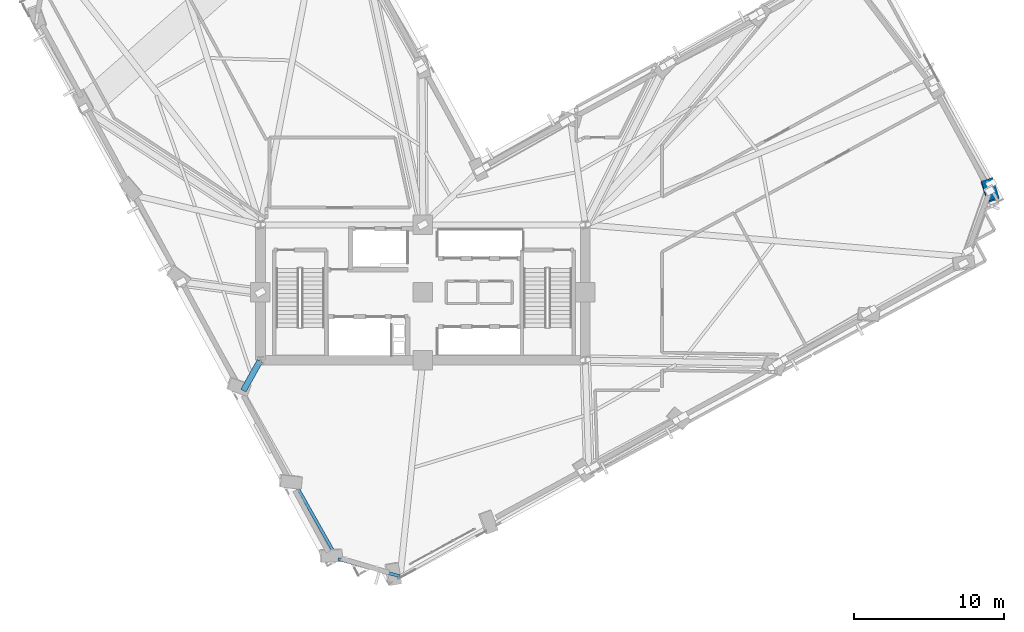
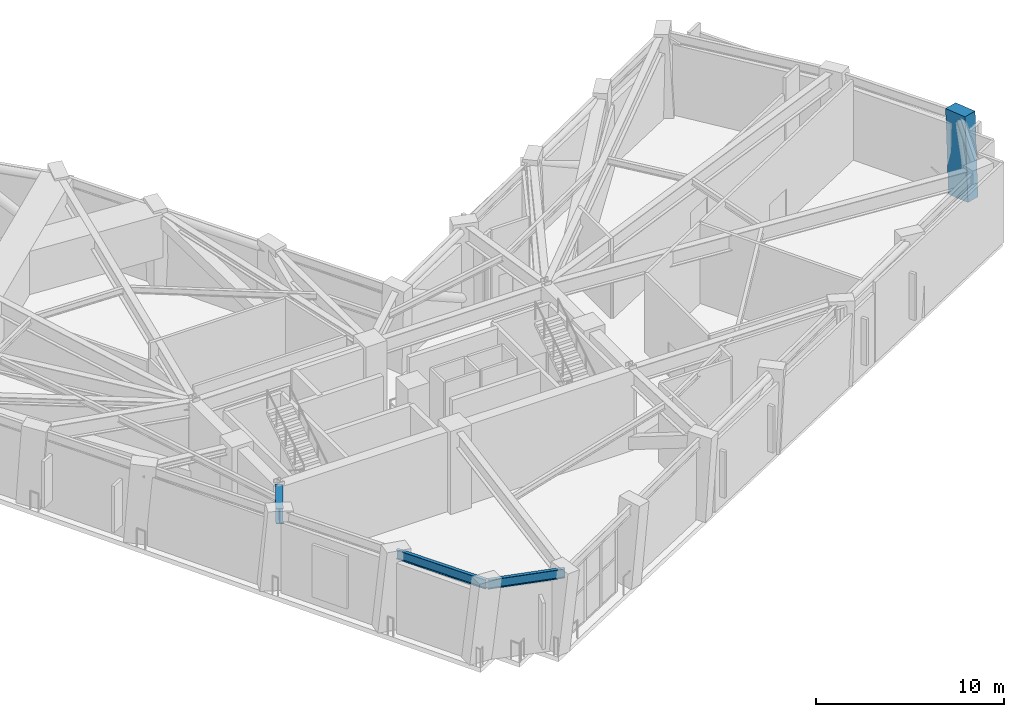
# One storey, part 2 of 15: 3 beams, 1 column.
"""IFC4 building model written with IfcOpenShell, lengths in metres."""

from ifc_helpers import new_model, si_unit, direction, frame, origin, origin_2d, place, context, subcontext, project, spatial, rectangle, i_section, extrude, material, material_profile, profile_set, type_object, element, save


model = new_model("IFC4")

# Units and contexts
model_context = context("Model", 3, precision=1e-05, world=origin(), true_north=direction((0.0, 1.0)))
body_context = subcontext(model_context, "Body", "Model", "MODEL_VIEW")
ifc_project = project(units=[si_unit("LENGTHUNIT", "METRE"), si_unit("AREAUNIT", "SQUARE_METRE"), si_unit("VOLUMEUNIT", "CUBIC_METRE"), si_unit("PLANEANGLEUNIT", "RADIAN"), si_unit("MASSUNIT", "GRAM", prefix="KILO")], contexts=[model_context])

# Site, building, storey
site_placement = place(None, origin())
site = spatial("IfcSite", under=ifc_project, at=site_placement, CompositionType="ELEMENT")
building_placement = place(site_placement, origin())
building = spatial("IfcBuilding", under=site, at=building_placement, Name="Gaonmaruhae Medical Tower", CompositionType="ELEMENT")
storey_placement = place(building_placement, frame((0.0, 0.0, 144.39990234375)))
storey = spatial("IfcBuildingStorey", under=building, at=storey_placement, Name="L34", CompositionType="ELEMENT", Elevation=144.39990234375)

# Column
ifc_material_1 = material(Name="Concrete C60/75", Category="concrete")
ifc_material_profile_1 = material_profile(ifc_material_1, rectangle(XDim=1.39990234375, YDim=0.800048828125, at=origin_2d()), Name="RC-1400x800")
ifc_profile_set_1 = profile_set([ifc_material_profile_1], Name="Concrete C60/75")
column_type = type_object("IfcColumnType", Name="TC-02 Mid Raking Tube Pier Column (RC-1400x800)", PredefinedType="COLUMN", material=ifc_profile_set_1)
column_placement = place(storey_placement, frame((62.5009765625, 19.048583984375, 0.0751953125), z_axis=(0.016859018422, 0.088509846714, 0.99593261847), x_axis=(0.304962959437, -0.949066770058, 0.079182443396)))
element("IfcColumn", 1, at=column_placement, inside=storey, type_object=column_type, Name="L34 Perimeter Tube Column E01", PredefinedType="COLUMN", context=body_context, shape_type="SweptSolid", body=[
    extrude(rectangle(XDim=1.39990234375, YDim=0.800048828125, at=origin_2d()), origin(), (0.0, 0.0, 1.0), 5.271240234375),
])

# Beams
ifc_material_2 = material(Name="Steel SM420", Category="steel")
ifc_material_profile_2 = material_profile(ifc_material_2, i_section(OverallWidth=0.39990234375, OverallDepth=1.0, WebThickness=0.02197265625, FlangeThickness=0.035888671875, at=origin_2d()), Name="BH-1000x400x22x36")
ifc_profile_set_2 = profile_set([ifc_material_profile_2], Name="Steel SM420")
beam_type_1 = type_object("IfcBeamType", Name="BG-02 Refuge Floor Primary Girder (BH-1000x400x22x36)", PredefinedType="BEAM", material=ifc_profile_set_2)
beam_1_placement = place(storey_placement, frame((13.9755859375, 7.75634765625, 4.68017578125), z_axis=(-0.487859917425, -0.872921932919, 0.0), x_axis=(0.872921932919, -0.487859917425, 0.0)))
element("IfcBeam", 2, at=beam_1_placement, inside=storey, type_object=beam_type_1, Name="L34 Radial Primary Girder W05", PredefinedType="BEAM", context=body_context, shape_type="SweptSolid", body=[
    extrude(i_section(OverallWidth=0.39990234375, OverallDepth=1.0, WebThickness=0.02197265625, FlangeThickness=0.035888671875, at=origin_2d()), origin(), (0.0, 0.0, 1.0), 2.2705078125),
])
ifc_material_3 = material(Name="Steel SM355", Category="steel")
ifc_material_profile_3 = material_profile(ifc_material_3, i_section(OverallWidth=0.199951171875, OverallDepth=0.60009765625, WebThickness=0.010986328125, FlangeThickness=0.01708984375, FilletRadius=0.012939453125, at=origin_2d()), Name="H-600x200x11x17")
ifc_profile_set_3 = profile_set([ifc_material_profile_3], Name="Steel SM355")
beam_type_2 = type_object("IfcBeamType", Name="SP-01 Lower Perimeter Spandrel Beam (H-600x200x11x17)", PredefinedType="SPANDREL", material=ifc_profile_set_3)
beam_2_placement = place(storey_placement, frame((16.4033203125, -0.57373046875, 4.880126953125), z_axis=(0.491654956618, -0.870790103086, 0.0), x_axis=(0.870790103086, 0.491654956618, 0.0)))
element("IfcBeam", 3, at=beam_2_placement, inside=storey, type_object=beam_type_2, Name="L34 Perimeter Spandrel Beam W06-W07", PredefinedType="SPANDREL", context=body_context, shape_type="SweptSolid", body=[
    extrude(i_section(OverallWidth=0.199951171875, OverallDepth=0.60009765625, WebThickness=0.010986328125, FlangeThickness=0.01708984375, FilletRadius=0.012939453125, at=origin_2d()), origin(), (0.0, 0.0, 1.0), 5.519775390625),
])
beam_3_placement = place(storey_placement, frame((19.175537109375, -5.426025390625, 4.880126953125), z_axis=(0.963402973599, -0.268057289511, 0.0), x_axis=(0.268057289511, 0.963402973599, 0.0)))
element("IfcBeam", 4, at=beam_3_placement, inside=storey, type_object=beam_type_2, Name="L34 Perimeter Spandrel Beam W07-S01", PredefinedType="SPANDREL", context=body_context, shape_type="SweptSolid", body=[
    extrude(i_section(OverallWidth=0.199951171875, OverallDepth=0.60009765625, WebThickness=0.010986328125, FlangeThickness=0.01708984375, FilletRadius=0.012939453125, at=origin_2d()), origin(), (0.0, 0.0, 1.0), 4.2333984375),
])

save(model, "model.ifc")
